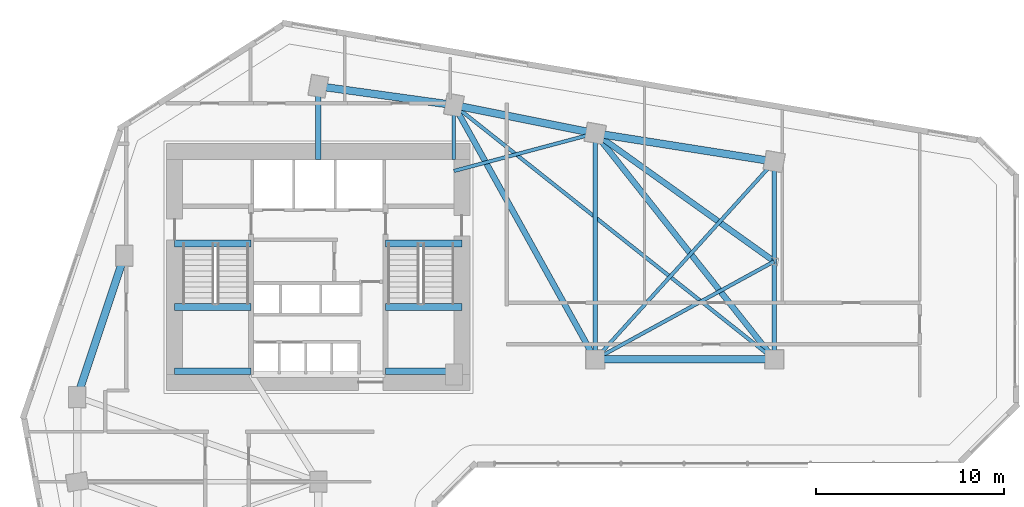
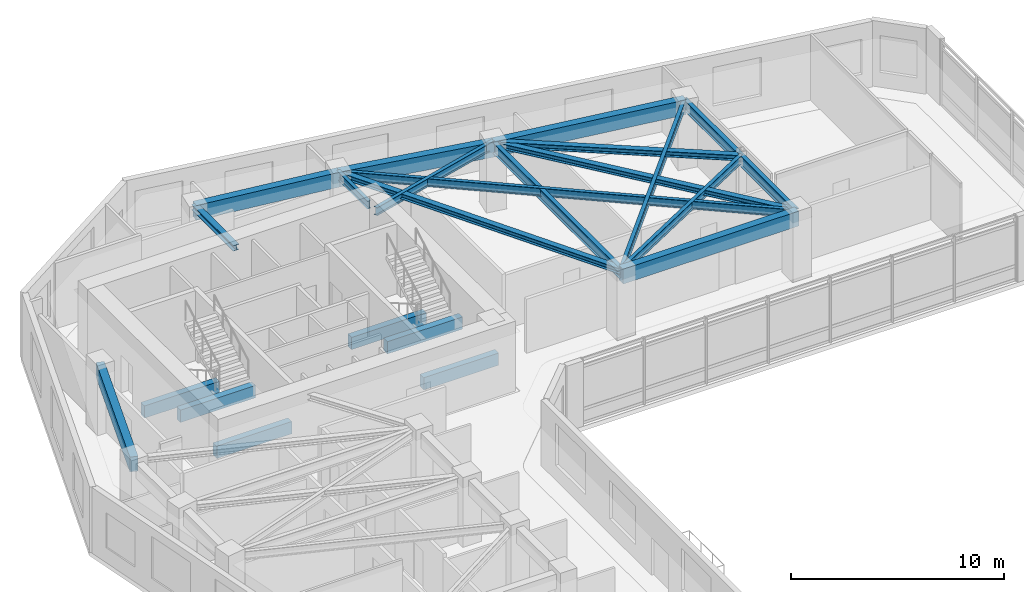
# One storey, part 3 of 11: 22 beams.
"""IFC4 building model written with IfcOpenShell, lengths in metres."""

from ifc_helpers import new_model, si_unit, direction, frame, origin, origin_2d, place, context, subcontext, project, spatial, rectangle, i_section, extrude, source, transform, mapped, material, material_profile, profile_set, type_object, element, save


model = new_model("IFC4")

# Units and contexts
model_context = context("Model", 3, precision=1e-05, world=origin(), true_north=direction((0.0, 1.0)))
body_context = subcontext(model_context, "Body", "Model", "MODEL_VIEW")
ifc_project = project(units=[si_unit("LENGTHUNIT", "METRE"), si_unit("AREAUNIT", "SQUARE_METRE"), si_unit("VOLUMEUNIT", "CUBIC_METRE"), si_unit("PLANEANGLEUNIT", "RADIAN"), si_unit("MASSUNIT", "GRAM", prefix="KILO")], contexts=[model_context])

# Site, building, storey
site_placement = place(None, origin())
site = spatial("IfcSite", under=ifc_project, at=site_placement, CompositionType="ELEMENT")
building_placement = place(site_placement, origin())
building = spatial("IfcBuilding", under=site, at=building_placement, Name="Calvemar Wedge Station Tower", CompositionType="ELEMENT")
storey_placement = place(building_placement, frame((0.0, 0.0, 55.0)))
storey = spatial("IfcBuildingStorey", under=building, at=storey_placement, Name="L13", CompositionType="ELEMENT", Elevation=55.0)

# Beams
ifc_material_1 = material(Name="Concrete C70", Category="concrete")
ifc_material_profile_1 = material_profile(ifc_material_1, rectangle(XDim=0.35009765625, YDim=0.699951171875, at=origin_2d()), Name="RC350x700")
ifc_profile_set_1 = profile_set([ifc_material_profile_1], Name="Concrete C70")
beam_type_1 = type_object("IfcBeamType", Name="BM-LN1-700", PredefinedType="LINTEL", material=ifc_profile_set_1)
shared_shape_1 = source(origin(), body_context, "Body", "SweptSolid", [
    extrude(rectangle(XDim=0.35009765625, YDim=0.699951171875, at=origin_2d()), origin(), (0.0, 0.0, 1.0), 4.054931640625),
])
for number, where, z_axis, x_axis, name in (
    (1, (16.175048828125, 41.14990234375, -0.35009765625), (1.0, 0.0, 0.0), (0.0, 1.0, 0.0), "Storey L13 Stair ST-C1 Landing Trimmer Beam"),
    (2, (27.3701171875, 41.14990234375, -0.35009765625), (1.0, 0.0, 0.0), (0.0, 1.0, 0.0), "Storey L13 Stair ST-C2 Landing Trimmer Beam"),
    (3, (16.175048828125, 34.3798828125, 1.449951171875), (1.0, 0.0, 0.0), (0.0, 1.0, 0.0), "Storey L13 Stair ST-C1 Half-Landing Beam 1A"),
    (4, (16.175048828125, 37.780029296875, 1.449951171875), (1.0, 0.0, 0.0), (0.0, 1.0, 0.0), "Storey L13 Stair ST-C1 Half-Landing Beam 1B"),
    (5, (27.3701171875, 34.3798828125, 1.449951171875), (1.0, 0.0, 0.0), (0.0, 1.0, 0.0), "Storey L13 Stair ST-C2 Half-Landing Beam 1A"),
    (6, (27.3701171875, 37.780029296875, 1.449951171875), (1.0, 0.0, 0.0), (0.0, 1.0, 0.0), "Storey L13 Stair ST-C2 Half-Landing Beam 1B"),
):
    element("IfcBeam", number, at=place(storey_placement, frame(where, z_axis=z_axis, x_axis=x_axis)), inside=storey, type_object=beam_type_1, Name=name, PredefinedType="LINTEL", context=body_context, shape_type="MappedRepresentation", body=[
        mapped(shared_shape_1, transform((0.0, 0.0, 0.0), scale=1.0)),
    ])
ifc_material_2 = material(Name="Concrete C60", Category="concrete")
ifc_material_profile_2 = material_profile(ifc_material_2, rectangle(XDim=0.39990234375, YDim=0.85009765625, at=origin_2d()), Name="RC400x850")
ifc_profile_set_2 = profile_set([ifc_material_profile_2], Name="Concrete C60")
beam_type_2 = type_object("IfcBeamType", Name="BM-SP1-850", PredefinedType="SPANDREL", material=ifc_profile_set_2)
shared_shape_2 = source(origin(), body_context, "Body", "SweptSolid", [
    extrude(rectangle(XDim=0.39990234375, YDim=0.85009765625, at=origin_2d()), origin(), (0.0, 0.0, 1.0), 7.90576171875),
])
beam_1_placement = place(storey_placement, frame((11.0, 33.0, 3.324951171875), z_axis=(0.316227766017, 0.948683298051, 0.0), x_axis=(-0.948683298051, 0.316227766017, 0.0)))
element("IfcBeam", 7, at=beam_1_placement, inside=storey, type_object=beam_type_2, Name="Storey L13 Spandrel T-NW1-T-NW2", PredefinedType="SPANDREL", context=body_context, shape_type="MappedRepresentation", body=[
    mapped(shared_shape_2, transform((0.0, 0.0, 0.0), scale=1.0)),
])
shared_shape_3 = source(origin(), body_context, "Body", "SweptSolid", [
    extrude(rectangle(XDim=0.39990234375, YDim=0.85009765625, at=origin_2d()), origin(), (0.0, 0.0, 1.0), 7.26904296875),
])
beam_2_placement = place(storey_placement, frame((23.800048828125, 49.5, 3.324951171875), z_axis=(0.990492146053, -0.13756928657, 0.0), x_axis=(0.13756928657, 0.990492146053, 0.0)))
element("IfcBeam", 8, at=beam_2_placement, inside=storey, type_object=beam_type_2, Name="Storey L13 Spandrel T-N1-T-N2", PredefinedType="SPANDREL", context=body_context, shape_type="MappedRepresentation", body=[
    mapped(shared_shape_3, transform((0.0, 0.0, 0.0), scale=1.0)),
])
shared_shape_4 = source(origin(), body_context, "Body", "SweptSolid", [
    extrude(rectangle(XDim=0.39990234375, YDim=0.85009765625, at=origin_2d()), origin(), (0.0, 0.0, 1.0), 7.6484375),
])
beam_3_placement = place(storey_placement, frame((31.0, 48.5, 3.324951171875), z_axis=(0.980580675691, -0.196116135138, 0.0), x_axis=(0.196116135138, 0.980580675691, 0.0)))
element("IfcBeam", 9, at=beam_3_placement, inside=storey, type_object=beam_type_2, Name="Storey L13 Spandrel T-N2-T-NU3", PredefinedType="SPANDREL", context=body_context, shape_type="MappedRepresentation", body=[
    mapped(shared_shape_4, transform((0.0, 0.0, 0.0), scale=1.0)),
])
shared_shape_5 = source(origin(), body_context, "Body", "SweptSolid", [
    extrude(rectangle(XDim=0.39990234375, YDim=0.85009765625, at=origin_2d()), origin(), (0.0, 0.0, 1.0), 9.61767578125),
])
beam_4_placement = place(storey_placement, frame((38.5, 47.0, 3.324951171875), z_axis=(0.987762965329, -0.155962573473, 0.0), x_axis=(0.155962573473, 0.987762965329, 0.0)))
element("IfcBeam", 10, at=beam_4_placement, inside=storey, type_object=beam_type_2, Name="Storey L13 Spandrel T-NU3-T-NU4", PredefinedType="SPANDREL", context=body_context, shape_type="MappedRepresentation", body=[
    mapped(shared_shape_5, transform((0.0, 0.0, 0.0), scale=1.0)),
])
shared_shape_6 = source(origin(), body_context, "Body", "SweptSolid", [
    extrude(rectangle(XDim=0.39990234375, YDim=0.85009765625, at=origin_2d()), origin(), (0.0, 0.0, 1.0), 9.5),
])
beam_5_placement = place(storey_placement, frame((38.5, 35.0, 3.324951171875), z_axis=(1.0, 0.0, 0.0), x_axis=(0.0, 1.0, 0.0)))
element("IfcBeam", 11, at=beam_5_placement, inside=storey, type_object=beam_type_2, Name="Storey L13 Spandrel T-NL2-T-NL3", PredefinedType="SPANDREL", context=body_context, shape_type="MappedRepresentation", body=[
    mapped(shared_shape_6, transform((0.0, 0.0, 0.0), scale=1.0)),
])
ifc_material_3 = material(Name="Structural steel ASTM A572 Grade 50", Category="steel")
ifc_material_profile_3 = material_profile(ifc_material_3, i_section(OverallWidth=0.22998046875, OverallDepth=0.616943359375, WebThickness=0.01318359375, FlangeThickness=0.022216796875, FilletRadius=0.012939453125, at=origin_2d()), Name="W610x140")
ifc_profile_set_3 = profile_set([ifc_material_profile_3], Name="Structural steel ASTM A572 Grade 50")
beam_type_3 = type_object("IfcBeamType", Name="BM-SB2-W610", PredefinedType="BEAM", material=ifc_profile_set_3)
shared_shape_7 = source(origin(), body_context, "Body", "SweptSolid", [
    extrude(i_section(OverallWidth=0.22998046875, OverallDepth=0.616943359375, WebThickness=0.01318359375, FlangeThickness=0.022216796875, FilletRadius=0.012939453125, at=origin_2d()), origin(), (0.0, 0.0, 1.0), 12.0),
])
beam_6_placement = place(storey_placement, frame((38.5, 47.0, 3.44140625), z_axis=(0.0, -1.0, 0.0), x_axis=(1.0, 0.0, 0.0)))
element("IfcBeam", 12, at=beam_6_placement, inside=storey, type_object=beam_type_3, Name="Storey L13 Floor Beam T-NU3-T-NL2", PredefinedType="BEAM", context=body_context, shape_type="MappedRepresentation", body=[
    mapped(shared_shape_7, transform((0.0, 0.0, 0.0), scale=1.0)),
])
shared_shape_8 = source(origin(), body_context, "Body", "SweptSolid", [
    extrude(i_section(OverallWidth=0.22998046875, OverallDepth=0.616943359375, WebThickness=0.01318359375, FlangeThickness=0.022216796875, FilletRadius=0.012939453125, at=origin_2d()), origin(), (0.0, 0.0, 1.0), 10.5),
])
beam_7_placement = place(storey_placement, frame((48.0, 45.5, 3.44140625), z_axis=(0.0, -1.0, 0.0), x_axis=(1.0, 0.0, 0.0)))
element("IfcBeam", 13, at=beam_7_placement, inside=storey, type_object=beam_type_3, Name="Storey L13 Floor Beam T-NU4-T-NL3", PredefinedType="BEAM", context=body_context, shape_type="MappedRepresentation", body=[
    mapped(shared_shape_8, transform((0.0, 0.0, 0.0), scale=1.0)),
])
ifc_material_profile_4 = material_profile(ifc_material_3, i_section(OverallWidth=0.30908203125, OverallDepth=0.322998046875, WebThickness=0.013916015625, FlangeThickness=0.02294921875, FilletRadius=0.014892578125, at=origin_2d()), Name="W310x143")
ifc_profile_set_4 = profile_set([ifc_material_profile_4], Name="Structural steel ASTM A572 Grade 50")
beam_type_4 = type_object("IfcBeamType", Name="BM-J5-W310H", PredefinedType="JOIST", material=ifc_profile_set_4)
shared_shape_9 = source(origin(), body_context, "Body", "SweptSolid", [
    extrude(i_section(OverallWidth=0.30908203125, OverallDepth=0.322998046875, WebThickness=0.013916015625, FlangeThickness=0.02294921875, FilletRadius=0.014892578125, at=origin_2d()), origin(), (0.0, 0.0, 1.0), 15.443359375),
])
beam_8_placement = place(storey_placement, frame((31.0, 48.5, 3.58837890625), z_axis=(0.485642931179, -0.874157276122, 0.0), x_axis=(0.874157276122, 0.485642931179, 0.0)))
element("IfcBeam", 14, at=beam_8_placement, inside=storey, type_object=beam_type_4, Name="Storey L13 Floor Beam T-N2-T-NL2", PredefinedType="JOIST", context=body_context, shape_type="MappedRepresentation", body=[
    mapped(shared_shape_9, transform((0.0, 0.0, 0.0), scale=1.0)),
])
ifc_material_profile_5 = material_profile(ifc_material_3, i_section(OverallWidth=0.19189453125, OverallDepth=0.462890625, WebThickness=0.010498046875, FlangeThickness=0.017578125, FilletRadius=0.012939453125, at=origin_2d()), Name="W460x89")
ifc_profile_set_5 = profile_set([ifc_material_profile_5], Name="Structural steel ASTM A572 Grade 50")
beam_type_5 = type_object("IfcBeamType", Name="BM-J1-W460", PredefinedType="JOIST", material=ifc_profile_set_5)
shared_shape_10 = source(origin(), body_context, "Body", "SweptSolid", [
    extrude(i_section(OverallWidth=0.19189453125, OverallDepth=0.462890625, WebThickness=0.010498046875, FlangeThickness=0.017578125, FilletRadius=0.012939453125, at=origin_2d()), origin(), (0.0, 0.0, 1.0), 21.708251953125),
])
beam_9_placement = place(storey_placement, frame((31.0, 48.5, 3.5185546875), z_axis=(0.783110847498, -0.621882143602, 0.0), x_axis=(0.621882143602, 0.783110847498, 0.0)))
element("IfcBeam", 15, at=beam_9_placement, inside=storey, type_object=beam_type_5, Name="Storey L13 Floor Beam T-N2-T-NL3", PredefinedType="JOIST", context=body_context, shape_type="MappedRepresentation", body=[
    mapped(shared_shape_10, transform((0.0, 0.0, 0.0), scale=1.0)),
])
shared_shape_11 = source(origin(), body_context, "Body", "SweptSolid", [
    extrude(i_section(OverallWidth=0.30908203125, OverallDepth=0.322998046875, WebThickness=0.013916015625, FlangeThickness=0.02294921875, FilletRadius=0.014892578125, at=origin_2d()), origin(), (0.0, 0.0, 1.0), 15.30517578125),
])
beam_10_placement = place(storey_placement, frame((38.5, 47.0, 3.58837890625), z_axis=(0.620702944366, -0.784045824462, 0.0), x_axis=(0.784045824462, 0.620702944366, 0.0)))
element("IfcBeam", 16, at=beam_10_placement, inside=storey, type_object=beam_type_4, Name="Storey L13 Floor Beam T-NU3-T-NL3", PredefinedType="JOIST", context=body_context, shape_type="MappedRepresentation", body=[
    mapped(shared_shape_11, transform((0.0, 0.0, 0.0), scale=1.0)),
])
shared_shape_12 = source(origin(), body_context, "Body", "SweptSolid", [
    extrude(i_section(OverallWidth=0.19189453125, OverallDepth=0.462890625, WebThickness=0.010498046875, FlangeThickness=0.017578125, FilletRadius=0.012939453125, at=origin_2d()), origin(), (0.0, 0.0, 1.0), 14.159912109375),
])
beam_11_placement = place(storey_placement, frame((38.5, 35.0, 3.5185546875), z_axis=(0.670913323969, 0.741535779124, 0.0), x_axis=(-0.741535779124, 0.670913323969, 0.0)))
element("IfcBeam", 17, at=beam_11_placement, inside=storey, type_object=beam_type_5, Name="Storey L13 Floor Beam T-NL2-T-NU4", PredefinedType="JOIST", context=body_context, shape_type="MappedRepresentation", body=[
    mapped(shared_shape_12, transform((0.0, 0.0, 0.0), scale=1.0)),
])
shared_shape_13 = source(origin(), body_context, "Body", "SweptSolid", [
    extrude(i_section(OverallWidth=0.30908203125, OverallDepth=0.322998046875, WebThickness=0.013916015625, FlangeThickness=0.02294921875, FilletRadius=0.014892578125, at=origin_2d()), origin(), (0.0, 0.0, 1.0), 11.682861328125),
])
beam_12_placement = place(storey_placement, frame((48.0, 40.199951171875, 3.58837890625), z_axis=(-0.81315274409, 0.582050354161, 0.0), x_axis=(-0.582050354161, -0.81315274409, 0.0)))
element("IfcBeam", 18, at=beam_12_placement, inside=storey, type_object=beam_type_4, Name="Storey L13 Floor Beam T-NTIP-A-T-NU3", PredefinedType="JOIST", context=body_context, shape_type="MappedRepresentation", body=[
    mapped(shared_shape_13, transform((0.0, 0.0, 0.0), scale=1.0)),
])
shared_shape_14 = source(origin(), body_context, "Body", "SweptSolid", [
    extrude(i_section(OverallWidth=0.19189453125, OverallDepth=0.462890625, WebThickness=0.010498046875, FlangeThickness=0.017578125, FilletRadius=0.012939453125, at=origin_2d()), origin(), (0.0, 0.0, 1.0), 10.830078125),
])
beam_13_placement = place(storey_placement, frame((48.0, 40.199951171875, 3.5185546875), z_axis=(-0.877190767997, -0.480142017053, 0.0), x_axis=(0.480142017053, -0.877190767997, 0.0)))
element("IfcBeam", 19, at=beam_13_placement, inside=storey, type_object=beam_type_5, Name="Storey L13 Floor Beam T-NTIP-A-T-NL2", PredefinedType="JOIST", context=body_context, shape_type="MappedRepresentation", body=[
    mapped(shared_shape_14, transform((0.0, 0.0, 0.0), scale=1.0)),
])
shared_shape_15 = source(origin(), body_context, "Body", "SweptSolid", [
    extrude(i_section(OverallWidth=0.19189453125, OverallDepth=0.462890625, WebThickness=0.010498046875, FlangeThickness=0.017578125, FilletRadius=0.012939453125, at=origin_2d()), origin(), (0.0, 0.0, 1.0), 7.76220703125),
])
beam_14_placement = place(storey_placement, frame((31.0, 45.0, 3.5185546875), z_axis=(0.966234939601, 0.25766265056, 0.0), x_axis=(-0.25766265056, 0.966234939601, 0.0)))
element("IfcBeam", 20, at=beam_14_placement, inside=storey, type_object=beam_type_5, Name="Storey L13 Core-to-Column Joist CJ-E2", PredefinedType="JOIST", context=body_context, shape_type="MappedRepresentation", body=[
    mapped(shared_shape_15, transform((0.0, 0.0, 0.0), scale=1.0)),
])
shared_shape_16 = source(origin(), body_context, "Body", "SweptSolid", [
    extrude(i_section(OverallWidth=0.30908203125, OverallDepth=0.322998046875, WebThickness=0.013916015625, FlangeThickness=0.02294921875, FilletRadius=0.014892578125, at=origin_2d()), origin(), (0.0, 0.0, 1.0), 3.89990234375),
])
beam_15_placement = place(storey_placement, frame((23.800048828125, 45.60009765625, 3.58837890625), z_axis=(0.0, 1.0, 0.0), x_axis=(-1.0, 0.0, 0.0)))
element("IfcBeam", 21, at=beam_15_placement, inside=storey, type_object=beam_type_4, Name="Storey L13 Core-to-Column Joist CJ-N1", PredefinedType="JOIST", context=body_context, shape_type="MappedRepresentation", body=[
    mapped(shared_shape_16, transform((0.0, 0.0, 0.0), scale=1.0)),
])
shared_shape_17 = source(origin(), body_context, "Body", "SweptSolid", [
    extrude(i_section(OverallWidth=0.19189453125, OverallDepth=0.462890625, WebThickness=0.010498046875, FlangeThickness=0.017578125, FilletRadius=0.012939453125, at=origin_2d()), origin(), (0.0, 0.0, 1.0), 2.89990234375),
])
beam_16_placement = place(storey_placement, frame((31.0, 45.60009765625, 3.5185546875), z_axis=(0.0, 1.0, 0.0), x_axis=(-1.0, 0.0, 0.0)))
element("IfcBeam", 22, at=beam_16_placement, inside=storey, type_object=beam_type_5, Name="Storey L13 Core-to-Column Joist CJ-N2", PredefinedType="JOIST", context=body_context, shape_type="MappedRepresentation", body=[
    mapped(shared_shape_17, transform((0.0, 0.0, 0.0), scale=1.0)),
])

save(model, "model.ifc")
